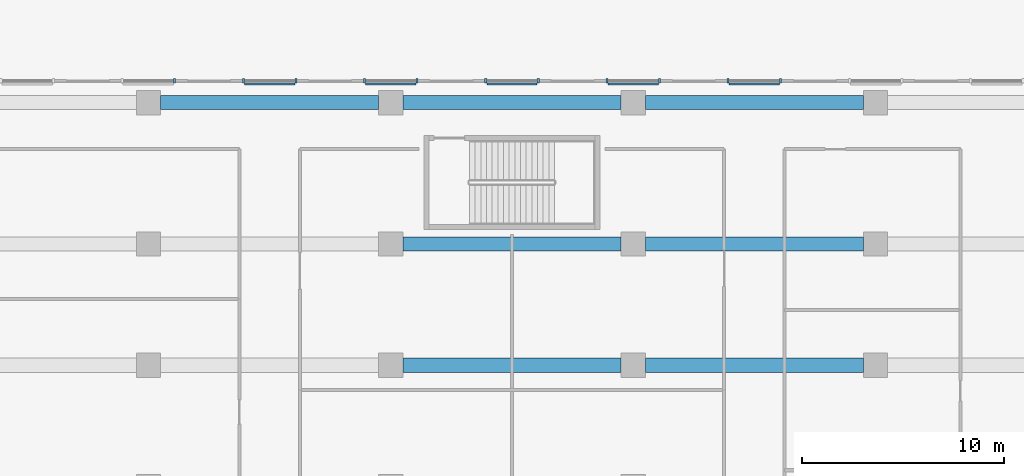
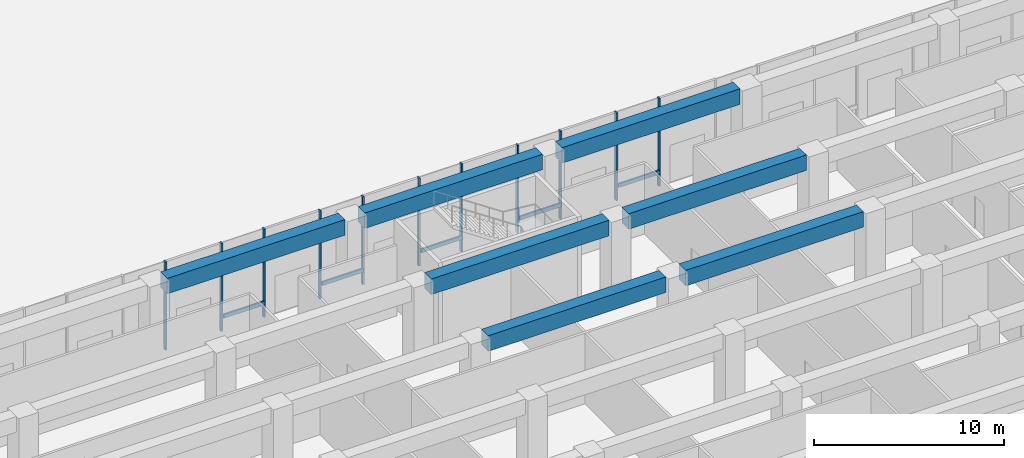
# One storey, part 10 of 32: 16 members, 7 beams, 6 elements without a shape of their own.
"""IFC4 building model written with IfcOpenShell, lengths in metres."""

from ifc_helpers import new_model, si_unit, direction, frame, origin, origin_2d, place, context, subcontext, project, spatial, rectangle, extrude, material, layer, layer_set, material_profile, profile_set, type_object, element, aggregate, save


model = new_model("IFC4")

# Units and contexts
model_context = context("Model", 3, precision=1e-05, world=origin(), true_north=direction((0.0, 1.0)))
body_context = subcontext(model_context, "Body", "Model", "MODEL_VIEW")
ifc_project = project(units=[si_unit("LENGTHUNIT", "METRE"), si_unit("AREAUNIT", "SQUARE_METRE"), si_unit("VOLUMEUNIT", "CUBIC_METRE"), si_unit("PLANEANGLEUNIT", "RADIAN"), si_unit("MASSUNIT", "GRAM", prefix="KILO")], contexts=[model_context])

# Site, building, storey
site_placement = place(None, origin())
site = spatial("IfcSite", under=ifc_project, at=site_placement, CompositionType="ELEMENT")
building_placement = place(site_placement, origin())
building = spatial("IfcBuilding", under=site, at=building_placement, Name="Welwitschia Terrace Campus", CompositionType="ELEMENT")
storey_placement = place(building_placement, origin())
storey = spatial("IfcBuildingStorey", under=building, at=storey_placement, Name="L00", CompositionType="ELEMENT", Elevation=0.0)

# Beams
ifc_material_1 = material(Name="Concrete C60/75", Category="concrete")
ifc_material_profile_1 = material_profile(ifc_material_1, rectangle(XDim=0.699951171875, YDim=1.0, at=origin_2d()))
ifc_profile_set_1 = profile_set([ifc_material_profile_1], Name="Concrete C60/75")
beam_type = type_object("IfcBeamType", Name="Base block beam 700x1000", PredefinedType="BEAM", material=ifc_profile_set_1)
for number, where, z_axis, x_axis, name in (
    (1, (36.6005859375, 56.0, 5.14990234375), (1.0, 0.0, 0.0), (0.0, 1.0, 0.0), "Beam BB1"),
    (2, (48.6005859375, 56.0, 5.14990234375), (1.0, 0.0, 0.0), (0.0, 1.0, 0.0), "Beam BB1"),
    (3, (36.6005859375, 62.0, 5.14990234375), (1.0, 0.0, 0.0), (0.0, 1.0, 0.0), "Beam BB1"),
    (4, (48.6005859375, 62.0, 5.14990234375), (1.0, 0.0, 0.0), (0.0, 1.0, 0.0), "Beam BB1"),
    (5, (24.6005859375, 69.0, 5.14990234375), (1.0, 0.0, 0.0), (0.0, 1.0, 0.0), "Beam BB1"),
    (6, (36.6005859375, 69.0, 5.14990234375), (1.0, 0.0, 0.0), (0.0, 1.0, 0.0), "Beam BB1"),
    (7, (48.6005859375, 69.0, 5.14990234375), (1.0, 0.0, 0.0), (0.0, 1.0, 0.0), "Beam BB1"),
):
    element("IfcBeam", number, at=place(storey_placement, frame(where, z_axis=z_axis, x_axis=x_axis)), inside=storey, type_object=beam_type, Name=name, PredefinedType="BEAM", context=body_context, shape_type="SweptSolid", body=[
        extrude(rectangle(XDim=0.699951171875, YDim=1.0, at=origin_2d()), origin(), (0.0, 0.0, 1.0), 10.798828125),
    ])

# Curtain wall, members
ifc_material_2 = material(Name="Bronze anodised aluminium", Category="aluminium")
ifc_layer = layer(ifc_material_2, 0.199951171875)
ifc_layer_set = layer_set([ifc_layer], Name="Bronze anodised aluminium")
curtain_wall_type = type_object("IfcCurtainWallType", Name="Curtain wall CW4 arcade shopfront 7500", PredefinedType="NOTDEFINED", material=ifc_layer_set)
curtain_wall_1_placement = place(storey_placement, origin())
curtain_wall_1 = element("IfcCurtainWall", 8, at=curtain_wall_1_placement, inside=storey, type_object=curtain_wall_type, Name="CW L00.4.g6", PredefinedType="NOTDEFINED")
ifc_material_3 = material(Name="Bronze anodised aluminium", Category="aluminium")
ifc_material_profile_2 = material_profile(ifc_material_3, rectangle(XDim=0.199951171875, YDim=0.10009765625, at=origin_2d()))
ifc_profile_set_2 = profile_set([ifc_material_profile_2], Name="Bronze anodised aluminium")
member_type_1 = type_object("IfcMemberType", Name="Mullion 100x200", PredefinedType="MULLION", material=ifc_profile_set_2)
member_1_placement = place(storey_placement, frame((55.300048828125, 70.0849609375, 0.0), z_axis=(0.0, 0.0, 1.0), x_axis=(0.0, -1.0, 0.0)))
member_1 = element("IfcMember", 9, at=member_1_placement, type_object=member_type_1, Name="Mullion L00.4.g6.0", PredefinedType="MULLION", context=body_context, shape_type="SweptSolid", body=[
    extrude(rectangle(XDim=0.199951171875, YDim=0.10009765625, at=origin_2d()), origin(), (0.0, 0.0, 1.0), 5.64990234375),
])
member_2_placement = place(storey_placement, frame((52.699951171875, 70.0849609375, 0.0), z_axis=(0.0, 0.0, 1.0), x_axis=(0.0, -1.0, 0.0)))
member_2 = element("IfcMember", 10, at=member_2_placement, type_object=member_type_1, Name="Mullion L00.4.g6.1", PredefinedType="MULLION", context=body_context, shape_type="SweptSolid", body=[
    extrude(rectangle(XDim=0.199951171875, YDim=0.10009765625, at=origin_2d()), origin(), (0.0, 0.0, 1.0), 5.64990234375),
])

curtain_wall_2_placement = place(storey_placement, origin())
curtain_wall_2 = element("IfcCurtainWall", 11, at=curtain_wall_2_placement, inside=storey, type_object=curtain_wall_type, Name="CW L00.4.g7", PredefinedType="NOTDEFINED")
member_3_placement = place(storey_placement, frame((49.300048828125, 70.0849609375, 0.0), z_axis=(0.0, 0.0, 1.0), x_axis=(0.0, -1.0, 0.0)))
member_3 = element("IfcMember", 12, at=member_3_placement, type_object=member_type_1, Name="Mullion L00.4.g7.0", PredefinedType="MULLION", context=body_context, shape_type="SweptSolid", body=[
    extrude(rectangle(XDim=0.199951171875, YDim=0.10009765625, at=origin_2d()), origin(), (0.0, 0.0, 1.0), 5.64990234375),
])
member_4_placement = place(storey_placement, frame((46.699951171875, 70.0849609375, 0.0), z_axis=(0.0, 0.0, 1.0), x_axis=(0.0, -1.0, 0.0)))
member_4 = element("IfcMember", 13, at=member_4_placement, type_object=member_type_1, Name="Mullion L00.4.g7.1", PredefinedType="MULLION", context=body_context, shape_type="SweptSolid", body=[
    extrude(rectangle(XDim=0.199951171875, YDim=0.10009765625, at=origin_2d()), origin(), (0.0, 0.0, 1.0), 5.64990234375),
])

curtain_wall_3_placement = place(storey_placement, origin())
curtain_wall_3 = element("IfcCurtainWall", 14, at=curtain_wall_3_placement, inside=storey, type_object=curtain_wall_type, Name="CW L00.4.g8", PredefinedType="NOTDEFINED")
member_5_placement = place(storey_placement, frame((43.300048828125, 70.0849609375, 0.0), z_axis=(0.0, 0.0, 1.0), x_axis=(0.0, -1.0, 0.0)))
member_5 = element("IfcMember", 15, at=member_5_placement, type_object=member_type_1, Name="Mullion L00.4.g8.0", PredefinedType="MULLION", context=body_context, shape_type="SweptSolid", body=[
    extrude(rectangle(XDim=0.199951171875, YDim=0.10009765625, at=origin_2d()), origin(), (0.0, 0.0, 1.0), 5.64990234375),
])
member_6_placement = place(storey_placement, frame((40.699951171875, 70.0849609375, 0.0), z_axis=(0.0, 0.0, 1.0), x_axis=(0.0, -1.0, 0.0)))
member_6 = element("IfcMember", 16, at=member_6_placement, type_object=member_type_1, Name="Mullion L00.4.g8.1", PredefinedType="MULLION", context=body_context, shape_type="SweptSolid", body=[
    extrude(rectangle(XDim=0.199951171875, YDim=0.10009765625, at=origin_2d()), origin(), (0.0, 0.0, 1.0), 5.64990234375),
])

curtain_wall_4_placement = place(storey_placement, origin())
curtain_wall_4 = element("IfcCurtainWall", 17, at=curtain_wall_4_placement, inside=storey, type_object=curtain_wall_type, Name="CW L00.4.g9", PredefinedType="NOTDEFINED")
member_7_placement = place(storey_placement, frame((37.300048828125, 70.0849609375, 0.0), z_axis=(0.0, 0.0, 1.0), x_axis=(0.0, -1.0, 0.0)))
member_7 = element("IfcMember", 18, at=member_7_placement, type_object=member_type_1, Name="Mullion L00.4.g9.0", PredefinedType="MULLION", context=body_context, shape_type="SweptSolid", body=[
    extrude(rectangle(XDim=0.199951171875, YDim=0.10009765625, at=origin_2d()), origin(), (0.0, 0.0, 1.0), 5.64990234375),
])
member_8_placement = place(storey_placement, frame((34.699951171875, 70.0849609375, 0.0), z_axis=(0.0, 0.0, 1.0), x_axis=(0.0, -1.0, 0.0)))
member_8 = element("IfcMember", 19, at=member_8_placement, type_object=member_type_1, Name="Mullion L00.4.g9.1", PredefinedType="MULLION", context=body_context, shape_type="SweptSolid", body=[
    extrude(rectangle(XDim=0.199951171875, YDim=0.10009765625, at=origin_2d()), origin(), (0.0, 0.0, 1.0), 5.64990234375),
])

curtain_wall_5_placement = place(storey_placement, origin())
curtain_wall_5 = element("IfcCurtainWall", 20, at=curtain_wall_5_placement, inside=storey, type_object=curtain_wall_type, Name="CW L00.4.g10", PredefinedType="NOTDEFINED")
member_9_placement = place(storey_placement, frame((31.300048828125, 70.0849609375, 0.0), z_axis=(0.0, 0.0, 1.0), x_axis=(0.0, -1.0, 0.0)))
member_9 = element("IfcMember", 21, at=member_9_placement, type_object=member_type_1, Name="Mullion L00.4.g10.0", PredefinedType="MULLION", context=body_context, shape_type="SweptSolid", body=[
    extrude(rectangle(XDim=0.199951171875, YDim=0.10009765625, at=origin_2d()), origin(), (0.0, 0.0, 1.0), 5.64990234375),
])
member_10_placement = place(storey_placement, frame((28.699951171875, 70.0849609375, 0.0), z_axis=(0.0, 0.0, 1.0), x_axis=(0.0, -1.0, 0.0)))
member_10 = element("IfcMember", 22, at=member_10_placement, type_object=member_type_1, Name="Mullion L00.4.g10.1", PredefinedType="MULLION", context=body_context, shape_type="SweptSolid", body=[
    extrude(rectangle(XDim=0.199951171875, YDim=0.10009765625, at=origin_2d()), origin(), (0.0, 0.0, 1.0), 5.64990234375),
])

# Curtain wall, member
curtain_wall_6_placement = place(storey_placement, origin())
curtain_wall_6 = element("IfcCurtainWall", 23, at=curtain_wall_6_placement, inside=storey, type_object=curtain_wall_type, Name="CW L00.4.g11", PredefinedType="NOTDEFINED")
member_11_placement = place(storey_placement, frame((25.300048828125, 70.0849609375, 0.0), z_axis=(0.0, 0.0, 1.0), x_axis=(0.0, -1.0, 0.0)))
member_11 = element("IfcMember", 24, at=member_11_placement, type_object=member_type_1, Name="Mullion L00.4.g11.0", PredefinedType="MULLION", context=body_context, shape_type="SweptSolid", body=[
    extrude(rectangle(XDim=0.199951171875, YDim=0.10009765625, at=origin_2d()), origin(), (0.0, 0.0, 1.0), 5.64990234375),
])
aggregate(curtain_wall_6, [member_11])

# Member
ifc_material_4 = material(Name="Bronze anodised aluminium", Category="aluminium")
ifc_material_profile_3 = material_profile(ifc_material_4, rectangle(XDim=0.10009765625, YDim=0.25, at=origin_2d()))
ifc_profile_set_3 = profile_set([ifc_material_profile_3], Name="Bronze anodised aluminium")
member_type_2 = type_object("IfcMemberType", Name="Transom 100x250", PredefinedType="USERDEFINED", material=ifc_profile_set_3)
member_12_placement = place(storey_placement, frame((55.25, 69.93505859375, 1.0), z_axis=(-1.0, 0.0, 0.0), x_axis=(0.0, -1.0, 0.0)))
member_12 = element("IfcMember", 25, at=member_12_placement, type_object=member_type_2, Name="Transom L00.4.g6", ObjectType="TRANSOM", PredefinedType="USERDEFINED", context=body_context, shape_type="SweptSolid", body=[
    extrude(rectangle(XDim=0.10009765625, YDim=0.25, at=origin_2d()), origin(), (0.0, 0.0, 1.0), 2.5),
])

aggregate(curtain_wall_1, [member_1, member_2, member_12])

member_13_placement = place(storey_placement, frame((49.25, 69.93505859375, 1.0), z_axis=(-1.0, 0.0, 0.0), x_axis=(0.0, -1.0, 0.0)))
member_13 = element("IfcMember", 26, at=member_13_placement, type_object=member_type_2, Name="Transom L00.4.g7", ObjectType="TRANSOM", PredefinedType="USERDEFINED", context=body_context, shape_type="SweptSolid", body=[
    extrude(rectangle(XDim=0.10009765625, YDim=0.25, at=origin_2d()), origin(), (0.0, 0.0, 1.0), 2.5),
])

aggregate(curtain_wall_2, [member_3, member_4, member_13])

member_14_placement = place(storey_placement, frame((43.25, 69.93505859375, 1.0), z_axis=(-1.0, 0.0, 0.0), x_axis=(0.0, -1.0, 0.0)))
member_14 = element("IfcMember", 27, at=member_14_placement, type_object=member_type_2, Name="Transom L00.4.g8", ObjectType="TRANSOM", PredefinedType="USERDEFINED", context=body_context, shape_type="SweptSolid", body=[
    extrude(rectangle(XDim=0.10009765625, YDim=0.25, at=origin_2d()), origin(), (0.0, 0.0, 1.0), 2.5),
])

aggregate(curtain_wall_3, [member_5, member_6, member_14])

member_15_placement = place(storey_placement, frame((37.25, 69.93505859375, 1.0), z_axis=(-1.0, 0.0, 0.0), x_axis=(0.0, -1.0, 0.0)))
member_15 = element("IfcMember", 28, at=member_15_placement, type_object=member_type_2, Name="Transom L00.4.g9", ObjectType="TRANSOM", PredefinedType="USERDEFINED", context=body_context, shape_type="SweptSolid", body=[
    extrude(rectangle(XDim=0.10009765625, YDim=0.25, at=origin_2d()), origin(), (0.0, 0.0, 1.0), 2.5),
])

aggregate(curtain_wall_4, [member_7, member_8, member_15])

member_16_placement = place(storey_placement, frame((31.25, 69.93505859375, 1.0), z_axis=(-1.0, 0.0, 0.0), x_axis=(0.0, -1.0, 0.0)))
member_16 = element("IfcMember", 29, at=member_16_placement, type_object=member_type_2, Name="Transom L00.4.g10", ObjectType="TRANSOM", PredefinedType="USERDEFINED", context=body_context, shape_type="SweptSolid", body=[
    extrude(rectangle(XDim=0.10009765625, YDim=0.25, at=origin_2d()), origin(), (0.0, 0.0, 1.0), 2.5),
])

aggregate(curtain_wall_5, [member_9, member_10, member_16])

save(model, "model.ifc")
